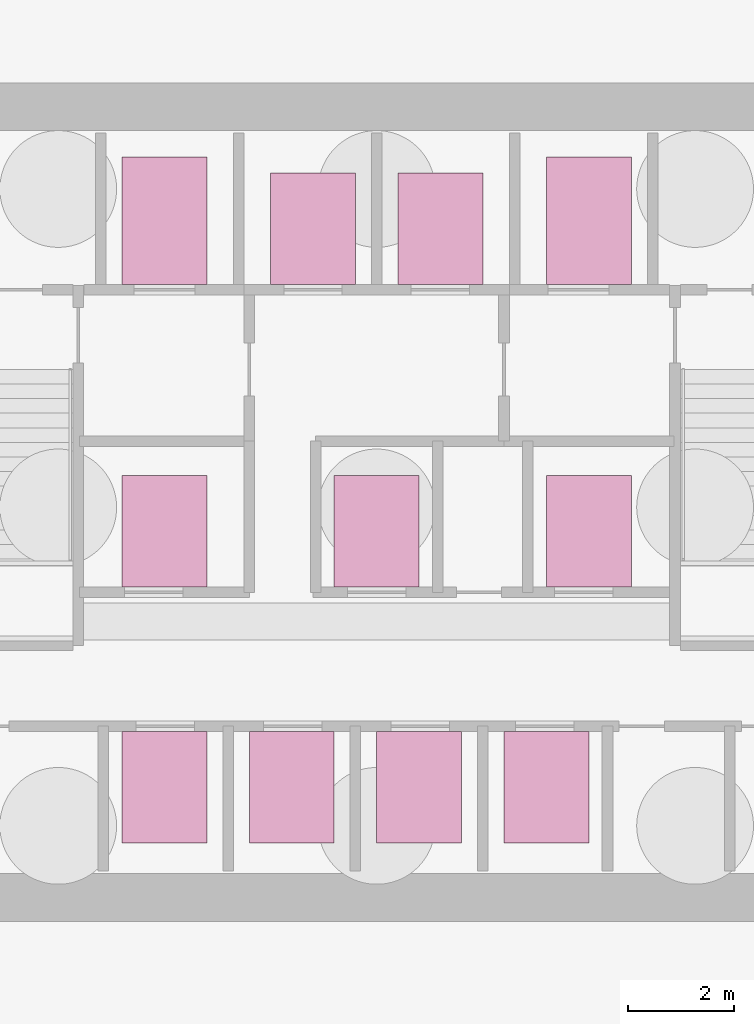
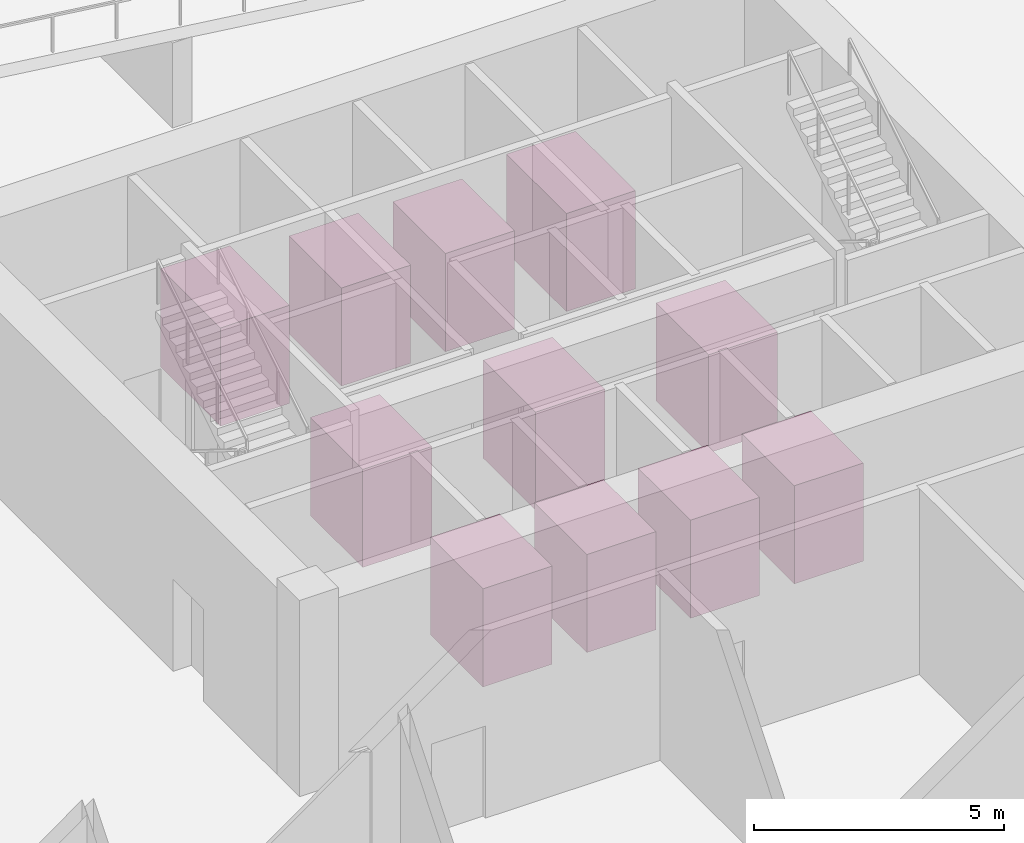
# One storey, part 9 of 9: 11 transport elements.
"""IFC4 building model written with IfcOpenShell, lengths in metres."""

from ifc_helpers import new_model, si_unit, direction, frame, origin, origin_2d, place, context, subcontext, project, spatial, rectangle, extrude, material, type_object, element, save


model = new_model("IFC4")

# Units and contexts
model_context = context("Model", 3, precision=1e-05, world=origin(), true_north=direction((0.0, 1.0)))
body_context = subcontext(model_context, "Body", "Model", "MODEL_VIEW")
ifc_project = project(units=[si_unit("LENGTHUNIT", "METRE"), si_unit("AREAUNIT", "SQUARE_METRE"), si_unit("VOLUMEUNIT", "CUBIC_METRE"), si_unit("PLANEANGLEUNIT", "RADIAN"), si_unit("MASSUNIT", "GRAM", prefix="KILO")], contexts=[model_context])

# Site, building, storey
site_placement = place(None, origin())
site = spatial("IfcSite", under=ifc_project, at=site_placement, CompositionType="ELEMENT")
building_placement = place(site_placement, origin())
building = spatial("IfcBuilding", under=site, at=building_placement, Name="Cinnabar Lancet Tower", CompositionType="ELEMENT")
storey_placement = place(building_placement, frame((0.0, 0.0, -4.800048828125)))
storey = spatial("IfcBuildingStorey", under=building, at=storey_placement, Name="B1", CompositionType="ELEMENT", Elevation=-4.800048828125)

# Transport elements
ifc_material_1 = material(Name="Brushed stainless steel lift cab", Category="steel")
transport_element_type_1 = type_object("IfcTransportElementType", Name="ARC-LFT-FF-1600", PredefinedType="ELEVATOR", material=ifc_material_1)
for number, where, z_axis, x_axis, name in (
    (1, (28.39990234375, 31.199951171875, 0.0), (0.0, 0.0, 1.0), (1.0, 0.0, 0.0), "Firefighting Lift FL-1"),
    (2, (36.39990234375, 31.199951171875, 0.0), (0.0, 0.0, 1.0), (1.0, 0.0, 0.0), "Firefighting Lift FL-2"),
):
    element("IfcTransportElement", number, at=place(storey_placement, frame(where, z_axis=z_axis, x_axis=x_axis)), inside=storey, type_object=transport_element_type_1, Name=name, PredefinedType="ELEVATOR", context=body_context, shape_type="SweptSolid", body=[
        extrude(rectangle(XDim=1.60009765625, YDim=2.39990234375, at=origin_2d()), origin(), (0.0, 0.0, 1.0), 2.39990234375),
    ])
ifc_material_2 = material(Name="Brushed stainless steel lift cab", Category="steel")
transport_element_type_2 = type_object("IfcTransportElementType", Name="ARC-LFT-PL-1350", PredefinedType="ELEVATOR", material=ifc_material_2)
for number, where, z_axis, x_axis, name in (
    (3, (28.39990234375, 20.530029296875, 0.0), (0.0, 0.0, 1.0), (1.0, 0.0, 0.0), "Passenger Lift PL-1"),
    (4, (30.800048828125, 20.530029296875, 0.0), (0.0, 0.0, 1.0), (1.0, 0.0, 0.0), "Passenger Lift PL-2"),
    (5, (33.199951171875, 20.530029296875, 0.0), (0.0, 0.0, 1.0), (1.0, 0.0, 0.0), "Passenger Lift PL-3"),
    (6, (35.60009765625, 20.530029296875, 0.0), (0.0, 0.0, 1.0), (1.0, 0.0, 0.0), "Passenger Lift PL-4"),
    (7, (28.39990234375, 25.35009765625, 0.0), (0.0, 0.0, 1.0), (1.0, 0.0, 0.0), "Passenger Lift PL-5"),
    (8, (36.39990234375, 25.35009765625, 0.0), (0.0, 0.0, 1.0), (1.0, 0.0, 0.0), "Passenger Lift PL-6"),
):
    element("IfcTransportElement", number, at=place(storey_placement, frame(where, z_axis=z_axis, x_axis=x_axis)), inside=storey, type_object=transport_element_type_2, Name=name, PredefinedType="ELEVATOR", context=body_context, shape_type="SweptSolid", body=[
        extrude(rectangle(XDim=1.60009765625, YDim=2.10009765625, at=origin_2d()), origin(), (0.0, 0.0, 1.0), 2.39990234375),
    ])
ifc_material_3 = material(Name="Brushed stainless steel lift cab", Category="steel")
transport_element_type_3 = type_object("IfcTransportElementType", Name="ARC-LFT-PL-1600", PredefinedType="ELEVATOR", material=ifc_material_3)
for number, where, z_axis, x_axis, name in (
    (9, (31.199951171875, 31.050048828125, 0.0), (0.0, 0.0, 1.0), (1.0, 0.0, 0.0), "Passenger Lift PL-7"),
    (10, (33.60009765625, 31.050048828125, 0.0), (0.0, 0.0, 1.0), (1.0, 0.0, 0.0), "Passenger Lift PL-8"),
    (11, (32.39990234375, 25.35009765625, 0.0), (0.0, 0.0, 1.0), (1.0, 0.0, 0.0), "Passenger Lift PL-9"),
):
    element("IfcTransportElement", number, at=place(storey_placement, frame(where, z_axis=z_axis, x_axis=x_axis)), inside=storey, type_object=transport_element_type_3, Name=name, PredefinedType="ELEVATOR", context=body_context, shape_type="SweptSolid", body=[
        extrude(rectangle(XDim=1.60009765625, YDim=2.10009765625, at=origin_2d()), origin(), (0.0, 0.0, 1.0), 2.39990234375),
    ])

save(model, "model.ifc")
